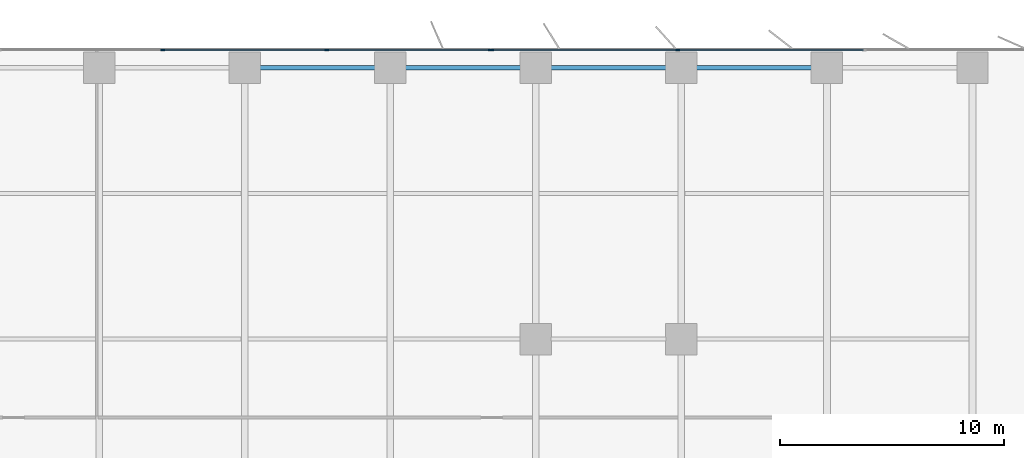
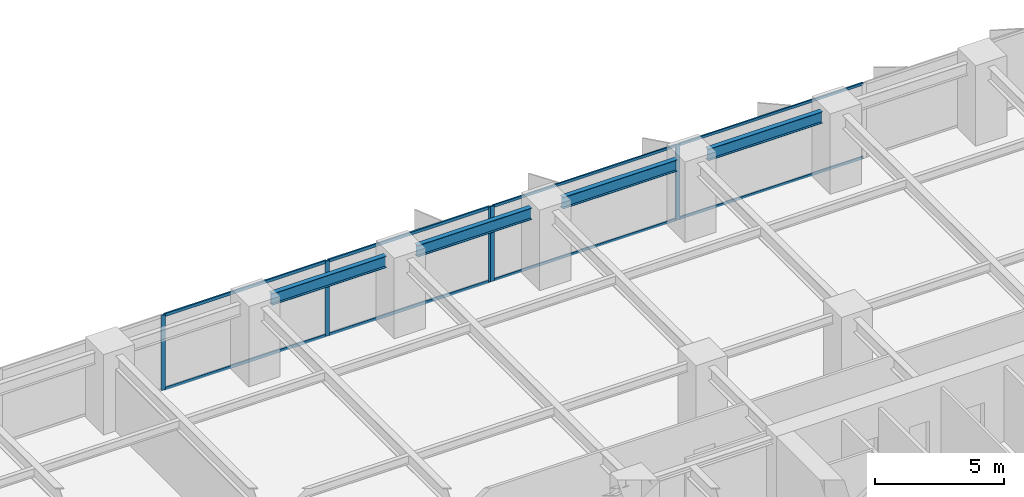
# One storey, part 9 of 20: 13 members, 4 beams, 2 elements without a shape of their own.
"""IFC4 building model written with IfcOpenShell, lengths in metres."""

from ifc_helpers import new_model, si_unit, direction, frame, origin, origin_2d, place, context, subcontext, project, spatial, rectangle, i_section, extrude, material, layer, layer_set, material_profile, profile_set, type_object, element, aggregate, save


model = new_model("IFC4")

# Units and contexts
model_context = context("Model", 3, precision=1e-05, world=origin(), true_north=direction((0.0, 1.0)))
body_context = subcontext(model_context, "Body", "Model", "MODEL_VIEW")
ifc_project = project(units=[si_unit("LENGTHUNIT", "METRE"), si_unit("AREAUNIT", "SQUARE_METRE"), si_unit("VOLUMEUNIT", "CUBIC_METRE"), si_unit("PLANEANGLEUNIT", "RADIAN"), si_unit("MASSUNIT", "GRAM", prefix="KILO")], contexts=[model_context])

# Site, building, storey
site_placement = place(None, origin())
site = spatial("IfcSite", under=ifc_project, at=site_placement, CompositionType="ELEMENT")
building_placement = place(site_placement, origin())
building = spatial("IfcBuilding", under=site, at=building_placement, Name="Putna Gate Headquarters", CompositionType="ELEMENT")
storey_placement = place(building_placement, frame((0.0, 0.0, 35.39990234375)))
storey = spatial("IfcBuildingStorey", under=building, at=storey_placement, Name="L07", CompositionType="ELEMENT", Elevation=35.39990234375)

# Beams
ifc_material_1 = material(Name="Steel S355J2", Category="steel")
ifc_material_profile_1 = material_profile(ifc_material_1, i_section(OverallWidth=0.2099609375, OverallDepth=0.550048828125, WebThickness=0.010986328125, FlangeThickness=0.01708984375, at=origin_2d()), Name="Steel S355J2")
ifc_profile_set_1 = profile_set([ifc_material_profile_1], Name="Steel S355J2")
beam_type = type_object("IfcBeamType", Name="BM-SPAN-Z1-IPE550", PredefinedType="SPANDREL", material=ifc_profile_set_1)
for number, where, z_axis, x_axis, name in (
    (1, (39.68798828125, 51.1201171875, 3.275146484375), (1.0, 0.0, 0.0), (0.0, 1.0, 0.0), "L07 N Perimeter Spandrel 6"),
    (2, (46.18798828125, 51.1201171875, 3.275146484375), (1.0, 0.0, 0.0), (0.0, 1.0, 0.0), "L07 N Perimeter Spandrel 7"),
    (3, (52.68798828125, 51.1201171875, 3.275146484375), (1.0, 0.0, 0.0), (0.0, 1.0, 0.0), "L07 N Perimeter Spandrel 8"),
    (4, (59.18798828125, 51.1201171875, 3.275146484375), (1.0, 0.0, 0.0), (0.0, 1.0, 0.0), "L07 N Perimeter Spandrel 9"),
):
    element("IfcBeam", number, at=place(storey_placement, frame(where, z_axis=z_axis, x_axis=x_axis)), inside=storey, type_object=beam_type, Name=name, PredefinedType="SPANDREL", context=body_context, shape_type="SweptSolid", body=[
        extrude(i_section(OverallWidth=0.2099609375, OverallDepth=0.550048828125, WebThickness=0.010986328125, FlangeThickness=0.01708984375, at=origin_2d()), origin(), (0.0, 0.0, 1.0), 5.1240234375),
    ])

# Curtain wall, members
ifc_material_2 = material(Name="Anodised bronze aluminium curtain wall", Category="aluminium")
ifc_layer_1 = layer(ifc_material_2, 0.179931640625)
ifc_layer_set_1 = layer_set([ifc_layer_1], Name="Anodised bronze aluminium curtain wall")
curtain_wall_type_1 = type_object("IfcCurtainWallType", Name="CW-SYS-Z1", PredefinedType="USERDEFINED", material=ifc_layer_set_1)
curtain_wall_1_placement = place(storey_placement, origin())
curtain_wall_1 = element("IfcCurtainWall", 5, at=curtain_wall_1_placement, inside=storey, type_object=curtain_wall_type_1, Name="L07 North East Curtain Wall", ObjectType="STICK CURTAIN WALL", PredefinedType="USERDEFINED")
ifc_material_3 = material(Name="Anodised bronze aluminium EN AW-6060", Category="aluminium")
ifc_material_profile_2 = material_profile(ifc_material_3, rectangle(XDim=0.070068359375, YDim=0.179931640625, at=origin_2d()), Name="Anodised bronze aluminium EN AW-6060")
ifc_profile_set_2 = profile_set([ifc_material_profile_2], Name="Anodised bronze aluminium EN AW-6060")
member_type_1 = type_object("IfcMemberType", Name="MULL-CWM-1", PredefinedType="MULLION", material=ifc_profile_set_2)
member_1_placement = place(storey_placement, frame((50.034912109375, 51.919921875, 0.0), z_axis=(0.0, 0.0, 1.0), x_axis=(0.0, 1.0, 0.0)))
member_1 = element("IfcMember", 6, at=member_1_placement, type_object=member_type_1, Name="CWS-1 mullion 1", PredefinedType="MULLION", context=body_context, shape_type="SweptSolid", body=[
    extrude(rectangle(XDim=0.070068359375, YDim=0.179931640625, at=origin_2d()), origin(), (0.0, 0.0, 1.0), 3.550048828125),
])
member_2_placement = place(storey_placement, frame((58.333251953125, 51.919921875, 0.0), z_axis=(0.0, 0.0, 1.0), x_axis=(0.0, 1.0, 0.0)))
member_2 = element("IfcMember", 7, at=member_2_placement, type_object=member_type_1, Name="CWS-1 mullion 2", PredefinedType="MULLION", context=body_context, shape_type="SweptSolid", body=[
    extrude(rectangle(XDim=0.070068359375, YDim=0.179931640625, at=origin_2d()), origin(), (0.0, 0.0, 1.0), 3.550048828125),
])

ifc_layer_2 = layer(ifc_material_2, 0.179931640625)
ifc_layer_set_2 = layer_set([ifc_layer_2], Name="Anodised bronze aluminium curtain wall")
curtain_wall_type_2 = type_object("IfcCurtainWallType", Name="CW-SYS-ATR", PredefinedType="USERDEFINED", material=ifc_layer_set_2)
curtain_wall_2_placement = place(storey_placement, origin())
curtain_wall_2 = element("IfcCurtainWall", 8, at=curtain_wall_2_placement, inside=storey, type_object=curtain_wall_type_2, Name="L07 North Atrium Clear Glazing", ObjectType="ATRIUM GLAZING", PredefinedType="USERDEFINED")
ifc_material_profile_3 = material_profile(ifc_material_3, rectangle(XDim=0.070068359375, YDim=0.179931640625, at=origin_2d()), Name="Anodised bronze aluminium EN AW-6060")
ifc_profile_set_3 = profile_set([ifc_material_profile_3], Name="Anodised bronze aluminium EN AW-6060")
member_type_2 = type_object("IfcMemberType", Name="MULL-CWM-AT", PredefinedType="MULLION", material=ifc_profile_set_3)
member_3_placement = place(storey_placement, frame((35.333251953125, 51.919921875, 0.0), z_axis=(0.0, 0.0, 1.0), x_axis=(0.0, 1.0, 0.0)))
member_3 = element("IfcMember", 9, at=member_3_placement, type_object=member_type_2, Name="CWS-AT mullion 2", PredefinedType="MULLION", context=body_context, shape_type="SweptSolid", body=[
    extrude(rectangle(XDim=0.070068359375, YDim=0.179931640625, at=origin_2d()), origin(), (0.0, 0.0, 1.0), 3.550048828125),
])
member_4_placement = place(storey_placement, frame((42.666748046875, 51.919921875, 0.0), z_axis=(0.0, 0.0, 1.0), x_axis=(0.0, 1.0, 0.0)))
member_4 = element("IfcMember", 10, at=member_4_placement, type_object=member_type_2, Name="CWS-AT mullion 3", PredefinedType="MULLION", context=body_context, shape_type="SweptSolid", body=[
    extrude(rectangle(XDim=0.070068359375, YDim=0.179931640625, at=origin_2d()), origin(), (0.0, 0.0, 1.0), 3.550048828125),
])
member_5_placement = place(storey_placement, frame((49.965087890625, 51.919921875, 0.0), z_axis=(0.0, 0.0, 1.0), x_axis=(0.0, 1.0, 0.0)))
member_5 = element("IfcMember", 11, at=member_5_placement, type_object=member_type_2, Name="CWS-AT mullion 4", PredefinedType="MULLION", context=body_context, shape_type="SweptSolid", body=[
    extrude(rectangle(XDim=0.070068359375, YDim=0.179931640625, at=origin_2d()), origin(), (0.0, 0.0, 1.0), 3.550048828125),
])

# Member
ifc_material_profile_4 = material_profile(ifc_material_3, rectangle(XDim=0.06494140625, YDim=0.1201171875, at=origin_2d()), Name="Anodised bronze aluminium EN AW-6060")
ifc_profile_set_4 = profile_set([ifc_material_profile_4], Name="Anodised bronze aluminium EN AW-6060")
member_type_3 = type_object("IfcMemberType", Name="TRAN-CWT-1", PredefinedType="USERDEFINED", material=ifc_profile_set_4)
member_6_placement = place(storey_placement, frame((50.070068359375, 51.919921875, 0.03271484375), z_axis=(1.0, 0.0, 0.0), x_axis=(0.0, 1.0, 0.0)))
member_6 = element("IfcMember", 12, at=member_6_placement, type_object=member_type_3, Name="CWS-1 transom 1.1", ObjectType="TRANSOM", PredefinedType="USERDEFINED", context=body_context, shape_type="SweptSolid", body=[
    extrude(rectangle(XDim=0.06494140625, YDim=0.1201171875, at=origin_2d()), origin(), (0.0, 0.0, 1.0), 8.228271484375),
])

member_7_placement = place(storey_placement, frame((50.070068359375, 51.919921875, 3.517578125), z_axis=(1.0, 0.0, 0.0), x_axis=(0.0, 1.0, 0.0)))
member_7 = element("IfcMember", 13, at=member_7_placement, type_object=member_type_3, Name="CWS-1 transom 1.2", ObjectType="TRANSOM", PredefinedType="USERDEFINED", context=body_context, shape_type="SweptSolid", body=[
    extrude(rectangle(XDim=0.06494140625, YDim=0.1201171875, at=origin_2d()), origin(), (0.0, 0.0, 1.0), 8.228271484375),
])

member_8_placement = place(storey_placement, frame((58.368408203125, 51.919921875, 0.03271484375), z_axis=(1.0, 0.0, 0.0), x_axis=(0.0, 1.0, 0.0)))
member_8 = element("IfcMember", 14, at=member_8_placement, type_object=member_type_3, Name="CWS-1 transom 2.1", ObjectType="TRANSOM", PredefinedType="USERDEFINED", context=body_context, shape_type="SweptSolid", body=[
    extrude(rectangle(XDim=0.06494140625, YDim=0.1201171875, at=origin_2d()), origin(), (0.0, 0.0, 1.0), 8.26318359375),
])

member_9_placement = place(storey_placement, frame((58.368408203125, 51.919921875, 3.517578125), z_axis=(1.0, 0.0, 0.0), x_axis=(0.0, 1.0, 0.0)))
member_9 = element("IfcMember", 15, at=member_9_placement, type_object=member_type_3, Name="CWS-1 transom 2.2", ObjectType="TRANSOM", PredefinedType="USERDEFINED", context=body_context, shape_type="SweptSolid", body=[
    extrude(rectangle(XDim=0.06494140625, YDim=0.1201171875, at=origin_2d()), origin(), (0.0, 0.0, 1.0), 8.26318359375),
])

aggregate(curtain_wall_1, [member_1, member_2, member_6, member_7, member_8, member_9])

ifc_material_profile_5 = material_profile(ifc_material_3, rectangle(XDim=0.070068359375, YDim=0.139892578125, at=origin_2d()), Name="Anodised bronze aluminium EN AW-6060")
ifc_profile_set_5 = profile_set([ifc_material_profile_5], Name="Anodised bronze aluminium EN AW-6060")
member_type_4 = type_object("IfcMemberType", Name="TRAN-CWT-AT", PredefinedType="USERDEFINED", material=ifc_profile_set_5)
member_10_placement = place(storey_placement, frame((35.368408203125, 51.919921875, 0.03515625), z_axis=(1.0, 0.0, 0.0), x_axis=(0.0, 1.0, 0.0)))
member_10 = element("IfcMember", 16, at=member_10_placement, type_object=member_type_4, Name="CWS-AT transom 2.1", ObjectType="TRANSOM", PredefinedType="USERDEFINED", context=body_context, shape_type="SweptSolid", body=[
    extrude(rectangle(XDim=0.070068359375, YDim=0.139892578125, at=origin_2d()), origin(), (0.0, 0.0, 1.0), 7.26318359375),
])

member_11_placement = place(storey_placement, frame((35.368408203125, 51.919921875, 3.51513671875), z_axis=(1.0, 0.0, 0.0), x_axis=(0.0, 1.0, 0.0)))
member_11 = element("IfcMember", 17, at=member_11_placement, type_object=member_type_4, Name="CWS-AT transom 2.2", ObjectType="TRANSOM", PredefinedType="USERDEFINED", context=body_context, shape_type="SweptSolid", body=[
    extrude(rectangle(XDim=0.070068359375, YDim=0.139892578125, at=origin_2d()), origin(), (0.0, 0.0, 1.0), 7.26318359375),
])

member_12_placement = place(storey_placement, frame((42.70166015625, 51.919921875, 0.03515625), z_axis=(1.0, 0.0, 0.0), x_axis=(0.0, 1.0, 0.0)))
member_12 = element("IfcMember", 18, at=member_12_placement, type_object=member_type_4, Name="CWS-AT transom 3.1", ObjectType="TRANSOM", PredefinedType="USERDEFINED", context=body_context, shape_type="SweptSolid", body=[
    extrude(rectangle(XDim=0.070068359375, YDim=0.139892578125, at=origin_2d()), origin(), (0.0, 0.0, 1.0), 7.228271484375),
])

member_13_placement = place(storey_placement, frame((42.70166015625, 51.919921875, 3.51513671875), z_axis=(1.0, 0.0, 0.0), x_axis=(0.0, 1.0, 0.0)))
member_13 = element("IfcMember", 19, at=member_13_placement, type_object=member_type_4, Name="CWS-AT transom 3.2", ObjectType="TRANSOM", PredefinedType="USERDEFINED", context=body_context, shape_type="SweptSolid", body=[
    extrude(rectangle(XDim=0.070068359375, YDim=0.139892578125, at=origin_2d()), origin(), (0.0, 0.0, 1.0), 7.228271484375),
])

aggregate(curtain_wall_2, [member_3, member_4, member_5, member_10, member_11, member_12, member_13])

save(model, "model.ifc")
